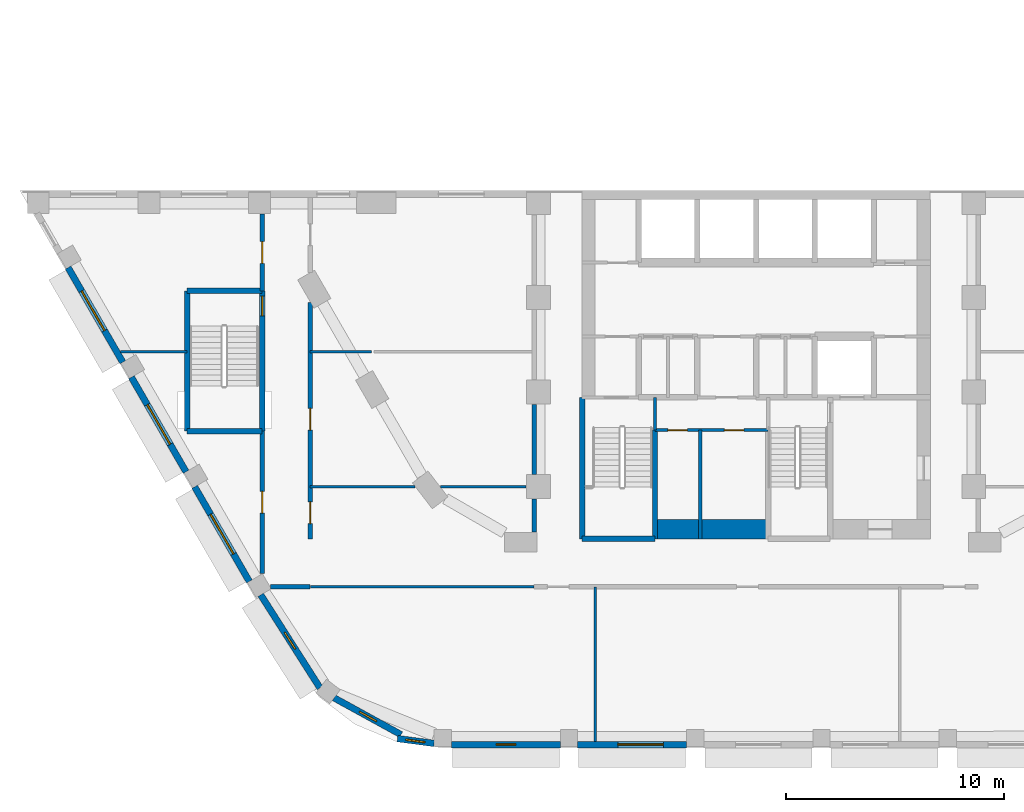
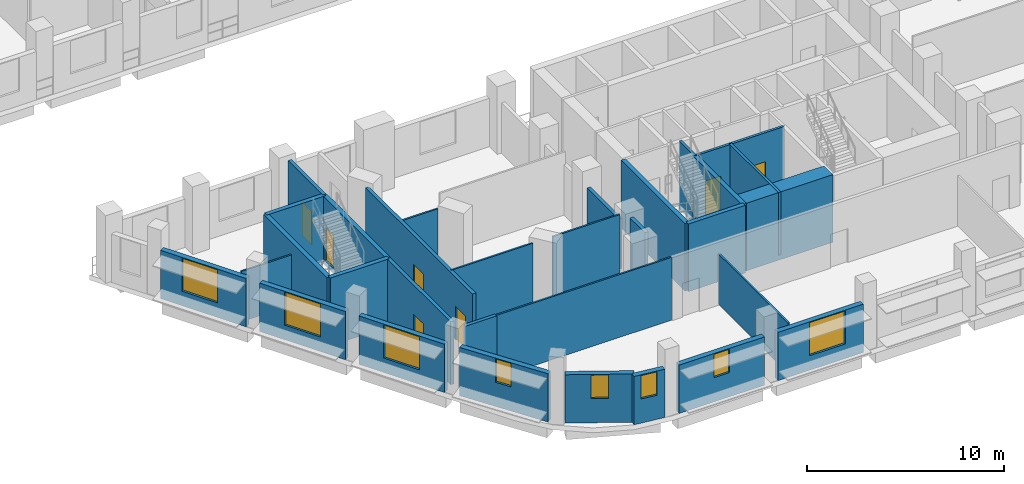
# One storey, part 13 of 45: 31 walls, 8 windows, 7 doors, 15 openings.
"""IFC4 building model written with IfcOpenShell, lengths in metres."""

from ifc_helpers import new_model, si_unit, direction, frame, frame_2d, origin, place, context, subcontext, project, spatial, rectangle, extrude, material, layer, layer_set, type_object, element, fill, save


model = new_model("IFC4")

# Units and contexts
model_context = context("Model", 3, precision=1e-05, world=origin(), true_north=direction((0.0, 1.0)))
body_context = subcontext(model_context, "Body", "Model", "MODEL_VIEW")
ifc_project = project(units=[si_unit("LENGTHUNIT", "METRE"), si_unit("AREAUNIT", "SQUARE_METRE"), si_unit("VOLUMEUNIT", "CUBIC_METRE"), si_unit("PLANEANGLEUNIT", "RADIAN"), si_unit("MASSUNIT", "GRAM", prefix="KILO")], contexts=[model_context])

# Site, building, storey
site_placement = place(None, origin())
site = spatial("IfcSite", under=ifc_project, at=site_placement, CompositionType="ELEMENT")
building_placement = place(site_placement, origin())
building = spatial("IfcBuilding", under=site, at=building_placement, Name="Nakaniwa Court", CompositionType="ELEMENT")
storey_placement = place(building_placement, frame((0.0, 0.0, 11.39990234375)))
storey = spatial("IfcBuildingStorey", under=building, at=storey_placement, Name="L02", CompositionType="ELEMENT", Elevation=11.39990234375)

# Wall, opening, door
ifc_material_1 = material(Name="Acoustic double stud partition")
ifc_layer_1 = layer(ifc_material_1, 0.199951171875)
ifc_layer_set_1 = layer_set([ifc_layer_1], Name="Acoustic double stud partition")
wall_type_1 = type_object("IfcWallType", Name="Acoustic double stud partition 200", PredefinedType="PARTITIONING", material=ifc_layer_set_1)
wall_1_placement = place(storey_placement, frame((57.300048828125, 55.0087890625, 0.0), z_axis=(0.0, 0.0, 1.0), x_axis=(0.0, 1.0, 0.0)))
wall_1 = element("IfcWall", 1, at=wall_1_placement, inside=storey, type_object=wall_type_1, Name="Partition PW-094", PredefinedType="PARTITIONING", context=body_context, shape_type="SweptSolid", body=[
    extrude(rectangle(XDim=6.544189453125, YDim=0.199951171875, at=frame_2d((3.27197265625, 0.0))), origin(), (0.0, 0.0, 1.0), 3.900146484375),
])
opening_1_placement = place(wall_1_placement, frame((2.77197265625, 0.0, 0.0)))
opening_1 = element("IfcOpeningElement", 2, at=opening_1_placement, cuts=wall_1, Name="Opening D-02-12", PredefinedType="OPENING", context=body_context, shape_type="SweptSolid", body=[
    extrude(rectangle(XDim=1.0, YDim=2.10009765625, at=frame_2d((0.5, 1.050048828125))), frame((0.0, 0.10986328125, 0.0), z_axis=(0.0, -1.0, 0.0), x_axis=(1.0, 0.0, 0.0)), (0.0, 0.0, 1.0), 0.219970703125),
])
ifc_material_2 = material(Name="Solid core timber door set, black veneer", Category="wood")
door_type_1 = type_object("IfcDoorType", Name="Internal door 1000", OperationType="NOTDEFINED", PredefinedType="DOOR", material=ifc_material_2)
door_1_placement = place(opening_1_placement, origin())
door_1 = element("IfcDoor", 3, at=door_1_placement, inside=storey, type_object=door_type_1, Name="Door D-02-12 L02-045", OperationType="SINGLE_SWING_RIGHT", OverallHeight=2.10009765625, OverallWidth=1.0, PredefinedType="DOOR", context=body_context, shape_type="SweptSolid", body=[
    extrude(rectangle(XDim=1.0, YDim=2.10009765625, at=frame_2d((0.5, 1.050048828125))), frame((0.0, 0.02490234375, 0.0), z_axis=(0.0, -1.0, 0.0), x_axis=(1.0, 0.0, 0.0)), (0.0, 0.0, 1.0), 0.050048828125),
])
fill(opening_1, door_1)

wall_2_placement = place(storey_placement, frame((57.300048828125, 67.9970703125, 0.0), z_axis=(0.0, 0.0, 1.0), x_axis=(0.0, 1.0, 0.0)))
wall_2 = element("IfcWall", 4, at=wall_2_placement, inside=storey, type_object=wall_type_1, Name="Partition PW-095", PredefinedType="PARTITIONING", context=body_context, shape_type="SweptSolid", body=[
    extrude(rectangle(XDim=3.535888671875, YDim=0.199951171875, at=frame_2d((1.76806640625, 0.0))), origin(), (0.0, 0.0, 1.0), 3.900146484375),
])
opening_2_placement = place(wall_2_placement, frame((1.26806640625, 0.0, 0.0)))
opening_2 = element("IfcOpeningElement", 5, at=opening_2_placement, cuts=wall_2, Name="Opening D-02-11", PredefinedType="OPENING", context=body_context, shape_type="SweptSolid", body=[
    extrude(rectangle(XDim=1.0, YDim=2.10009765625, at=frame_2d((0.5, 1.050048828125))), frame((0.0, 0.10986328125, 0.0), z_axis=(0.0, -1.0, 0.0), x_axis=(1.0, 0.0, 0.0)), (0.0, 0.0, 1.0), 0.219970703125),
])
door_2_placement = place(opening_2_placement, origin())
door_2 = element("IfcDoor", 6, at=door_2_placement, inside=storey, type_object=door_type_1, Name="Door D-02-11 L02-044", OperationType="SINGLE_SWING_LEFT", OverallHeight=2.10009765625, OverallWidth=1.0, PredefinedType="DOOR", context=body_context, shape_type="SweptSolid", body=[
    extrude(rectangle(XDim=1.0, YDim=2.10009765625, at=frame_2d((0.5, 1.050048828125))), frame((0.0, 0.02490234375, 0.0), z_axis=(0.0, -1.0, 0.0), x_axis=(1.0, 0.0, 0.0)), (0.0, 0.0, 1.0), 0.050048828125),
])
fill(opening_2, door_2)

# Wall, openings, doors
wall_3_placement = place(storey_placement, frame((59.5, 67.47021484375, 0.0), z_axis=(0.0, 0.0, 1.0), x_axis=(0.0, -1.0, 0.0)))
wall_3 = element("IfcWall", 7, at=wall_3_placement, inside=storey, type_object=wall_type_1, Name="Partition PW-098", PredefinedType="PARTITIONING", context=body_context, shape_type="SweptSolid", body=[
    extrude(rectangle(XDim=10.873291015625, YDim=0.199951171875, at=frame_2d((5.4365234375, 0.0))), origin(), (0.0, 0.0, 1.0), 3.900146484375),
])
opening_3_placement = place(wall_3_placement, frame((4.8701171875, 0.0, 0.0)))
opening_3 = element("IfcOpeningElement", 8, at=opening_3_placement, cuts=wall_3, Name="Opening D-02-17", PredefinedType="OPENING", context=body_context, shape_type="SweptSolid", body=[
    extrude(rectangle(XDim=1.0, YDim=2.10009765625, at=frame_2d((0.5, 1.050048828125))), frame((0.0, 0.10986328125, 0.0), z_axis=(0.0, -1.0, 0.0), x_axis=(1.0, 0.0, 0.0)), (0.0, 0.0, 1.0), 0.219970703125),
])
opening_4_placement = place(wall_3_placement, frame((9.169921875, 0.0, 0.0)))
opening_4 = element("IfcOpeningElement", 9, at=opening_4_placement, cuts=wall_3, Name="Opening D-02-18", PredefinedType="OPENING", context=body_context, shape_type="SweptSolid", body=[
    extrude(rectangle(XDim=1.0, YDim=2.10009765625, at=frame_2d((0.5, 1.050048828125))), frame((0.0, 0.10986328125, 0.0), z_axis=(0.0, -1.0, 0.0), x_axis=(1.0, 0.0, 0.0)), (0.0, 0.0, 1.0), 0.219970703125),
])
door_3_placement = place(opening_3_placement, origin())
door_3 = element("IfcDoor", 10, at=door_3_placement, inside=storey, type_object=door_type_1, Name="Door D-02-17 L02-050", OperationType="SINGLE_SWING_LEFT", OverallHeight=2.10009765625, OverallWidth=1.0, PredefinedType="DOOR", context=body_context, shape_type="SweptSolid", body=[
    extrude(rectangle(XDim=1.0, YDim=2.10009765625, at=frame_2d((0.5, 1.050048828125))), frame((0.0, 0.02490234375, 0.0), z_axis=(0.0, -1.0, 0.0), x_axis=(1.0, 0.0, 0.0)), (0.0, 0.0, 1.0), 0.050048828125),
])
fill(opening_3, door_3)
door_4_placement = place(opening_4_placement, origin())
door_4 = element("IfcDoor", 11, at=door_4_placement, inside=storey, type_object=door_type_1, Name="Door D-02-18 L02-051", OperationType="SINGLE_SWING_RIGHT", OverallHeight=2.10009765625, OverallWidth=1.0, PredefinedType="DOOR", context=body_context, shape_type="SweptSolid", body=[
    extrude(rectangle(XDim=1.0, YDim=2.10009765625, at=frame_2d((0.5, 1.050048828125))), frame((0.0, 0.02490234375, 0.0), z_axis=(0.0, -1.0, 0.0), x_axis=(1.0, 0.0, 0.0)), (0.0, 0.0, 1.0), 0.050048828125),
])
fill(opening_4, door_4)

# Walls
wall_4_placement = place(storey_placement, frame((69.800048828125, 56.9169921875, 0.0), z_axis=(0.0, 0.0, 1.0), x_axis=(0.0, 1.0, 0.0)))
element("IfcWall", 12, at=wall_4_placement, inside=storey, type_object=wall_type_1, Name="Partition PW-110", PredefinedType="PARTITIONING", context=body_context, shape_type="SweptSolid", body=[
    extrude(rectangle(XDim=1.51611328125, YDim=0.199951171875, at=frame_2d((0.758056640625, 0.0))), origin(), (0.0, 0.0, 1.0), 3.900146484375),
])
wall_5_placement = place(storey_placement, frame((69.800048828125, 59.56689453125, 0.0), z_axis=(0.0, 0.0, 1.0), x_axis=(0.0, 1.0, 0.0)))
element("IfcWall", 13, at=wall_5_placement, inside=storey, type_object=wall_type_1, Name="Partition PW-111", PredefinedType="PARTITIONING", context=body_context, shape_type="SweptSolid", body=[
    extrude(rectangle(XDim=3.216064453125, YDim=0.199951171875, at=frame_2d((1.60791015625, 0.0))), origin(), (0.0, 0.0, 1.0), 3.130126953125),
])
wall_6_placement = place(storey_placement, frame((57.676513671875, 54.39990234375, 0.0), z_axis=(0.0, 0.0, 1.0), x_axis=(1.0, 0.0, 0.0)))
element("IfcWall", 14, at=wall_6_placement, inside=storey, type_object=wall_type_1, Name="Partition PW-132", PredefinedType="PARTITIONING", context=body_context, shape_type="SweptSolid", body=[
    extrude(rectangle(XDim=1.823486328125, YDim=0.199951171875, at=frame_2d((0.91162109375, 0.0))), origin(), (0.0, 0.0, 1.0), 3.900146484375),
])

# Wall, opening, window
ifc_material_3 = material(Name="Charcoal ceramic cladding")
ifc_layer_2 = layer(ifc_material_3, 0.02, Name="Ceramic cladding")
ifc_material_4 = material(Name="Ventilated air cavity")
ifc_layer_3 = layer(ifc_material_4, 0.04, ventilated=True, Name="Ventilated cavity")
ifc_material_5 = material(Name="Mineral wool insulation")
ifc_layer_4 = layer(ifc_material_5, 0.1, Name="Insulation")
ifc_material_6 = material(Name="Cement bonded sheathing board")
ifc_layer_5 = layer(ifc_material_6, 0.012, Name="Sheathing")
ifc_material_7 = material(Name="Cold-formed galvanised stud frame with mineral wool infill")
ifc_layer_6 = layer(ifc_material_7, 0.1, Name="Stud frame")
ifc_material_8 = material(Name="Fire-rated gypsum plasterboard lining")
ifc_layer_7 = layer(ifc_material_8, 0.028, Name="Lining")
ifc_layer_set_2 = layer_set([ifc_layer_2, ifc_layer_3, ifc_layer_4, ifc_layer_5, ifc_layer_6, ifc_layer_7], Name="Charcoal ceramic faced external wall system")
wall_type_2 = type_object("IfcWallType", Name="Black ceramic faced external wall 300", PredefinedType="SOLIDWALL", material=ifc_layer_set_2)
wall_7_placement = place(storey_placement, frame((48.37890625, 69.0693359375, 0.0), z_axis=(0.0, 0.0, 1.0), x_axis=(0.500011252833, -0.866018906861, 0.0)))
wall_7 = element("IfcWall", 15, at=wall_7_placement, inside=storey, type_object=wall_type_2, Name="L02 external wall 13", PredefinedType="SOLIDWALL", context=body_context, shape_type="SweptSolid", body=[
    extrude(rectangle(XDim=5.02490234375, YDim=0.300048828125, at=frame_2d((2.512451171875, 0.0))), origin(), (0.0, 0.0, 1.0), 3.0),
])
opening_5_placement = place(wall_7_placement, frame((1.2451171875, 0.0, 0.89990234375)))
opening_5 = element("IfcOpeningElement", 16, at=opening_5_placement, cuts=wall_7, Name="Opening W2.10", PredefinedType="OPENING", context=body_context, shape_type="SweptSolid", body=[
    extrude(rectangle(XDim=2.10009765625, YDim=2.050048828125, at=frame_2d((1.050048828125, 1.02490234375))), frame((0.0, 0.159912109375, 0.0), z_axis=(0.0, -1.0, 0.0), x_axis=(1.0, 0.0, 0.0)), (0.0, 0.0, 1.0), 0.320068359375),
])
ifc_material_9 = material(Name="Black anodised aluminium frame with dark low-E laminated double glazing", Category="aluminium")
window_type_1 = type_object("IfcWindowType", Name="Dark glass window 2100x2050 sill 900", PartitioningType="SINGLE_PANEL", PredefinedType="WINDOW", material=ifc_material_9)
window_1_placement = place(opening_5_placement, origin())
window_1 = element("IfcWindow", 17, at=window_1_placement, inside=storey, type_object=window_type_1, Name="L02 habitable room window 13-0", OverallHeight=2.050048828125, OverallWidth=2.10009765625, PartitioningType="SINGLE_PANEL", PredefinedType="WINDOW", context=body_context, shape_type="SweptSolid", body=[
    extrude(rectangle(XDim=2.10009765625, YDim=2.050048828125, at=frame_2d((1.050048828125, 1.02490234375))), frame((0.0, 0.030029296875, 0.0), z_axis=(0.0, -1.0, 0.0), x_axis=(1.0, 0.0, 0.0)), (0.0, 0.0, 1.0), 0.06005859375),
])
fill(opening_5, window_1)

wall_8_placement = place(storey_placement, frame((51.287353515625, 64.031982421875, 0.0), z_axis=(0.0, 0.0, 1.0), x_axis=(0.499974811625, -0.866039945811, 0.0)))
wall_8 = element("IfcWall", 18, at=wall_8_placement, inside=storey, type_object=wall_type_2, Name="L02 external wall 14", PredefinedType="SOLIDWALL", context=body_context, shape_type="SweptSolid", body=[
    extrude(rectangle(XDim=5.024658203125, YDim=0.300048828125, at=frame_2d((2.51220703125, 0.0))), origin(), (0.0, 0.0, 1.0), 3.0),
])
opening_6_placement = place(wall_8_placement, frame((1.46240234375, 0.0, 0.89990234375)))
opening_6 = element("IfcOpeningElement", 19, at=opening_6_placement, cuts=wall_8, Name="Opening W2.11", PredefinedType="OPENING", context=body_context, shape_type="SweptSolid", body=[
    extrude(rectangle(XDim=2.10009765625, YDim=2.050048828125, at=frame_2d((1.050048828125, 1.02490234375))), frame((0.0, 0.159912109375, 0.0), z_axis=(0.0, -1.0, 0.0), x_axis=(1.0, 0.0, 0.0)), (0.0, 0.0, 1.0), 0.320068359375),
])
window_2_placement = place(opening_6_placement, origin())
window_2 = element("IfcWindow", 20, at=window_2_placement, inside=storey, type_object=window_type_1, Name="L02 habitable room window 14-0", OverallHeight=2.050048828125, OverallWidth=2.10009765625, PartitioningType="SINGLE_PANEL", PredefinedType="WINDOW", context=body_context, shape_type="SweptSolid", body=[
    extrude(rectangle(XDim=2.10009765625, YDim=2.050048828125, at=frame_2d((1.050048828125, 1.02490234375))), frame((0.0, 0.030029296875, 0.0), z_axis=(0.0, -1.0, 0.0), x_axis=(1.0, 0.0, 0.0)), (0.0, 0.0, 1.0), 0.06005859375),
])
fill(opening_6, window_2)

wall_9_placement = place(storey_placement, frame((54.195556640625, 58.994384765625, 0.0), z_axis=(0.0, 0.0, 1.0), x_axis=(0.500011252833, -0.866018906861, 0.0)))
wall_9 = element("IfcWall", 21, at=wall_9_placement, inside=storey, type_object=wall_type_2, Name="L02 external wall 15", PredefinedType="SOLIDWALL", context=body_context, shape_type="SweptSolid", body=[
    extrude(rectangle(XDim=5.02490234375, YDim=0.300048828125, at=frame_2d((2.512451171875, 0.0))), origin(), (0.0, 0.0, 1.0), 3.0),
])
opening_7_placement = place(wall_9_placement, frame((1.46240234375, 0.0, 0.89990234375)))
opening_7 = element("IfcOpeningElement", 22, at=opening_7_placement, cuts=wall_9, Name="Opening W2.12", PredefinedType="OPENING", context=body_context, shape_type="SweptSolid", body=[
    extrude(rectangle(XDim=2.10009765625, YDim=2.050048828125, at=frame_2d((1.050048828125, 1.02490234375))), frame((0.0, 0.159912109375, 0.0), z_axis=(0.0, -1.0, 0.0), x_axis=(1.0, 0.0, 0.0)), (0.0, 0.0, 1.0), 0.320068359375),
])
window_3_placement = place(opening_7_placement, origin())
window_3 = element("IfcWindow", 23, at=window_3_placement, inside=storey, type_object=window_type_1, Name="L02 habitable room window 15-0", OverallHeight=2.050048828125, OverallWidth=2.10009765625, PartitioningType="SINGLE_PANEL", PredefinedType="WINDOW", context=body_context, shape_type="SweptSolid", body=[
    extrude(rectangle(XDim=2.10009765625, YDim=2.050048828125, at=frame_2d((1.050048828125, 1.02490234375))), frame((0.0, 0.030029296875, 0.0), z_axis=(0.0, -1.0, 0.0), x_axis=(1.0, 0.0, 0.0)), (0.0, 0.0, 1.0), 0.06005859375),
])
fill(opening_7, window_3)

wall_10_placement = place(storey_placement, frame((57.2294921875, 54.029296875, 0.0), z_axis=(0.0, 0.0, 1.0), x_axis=(0.537224370512, -0.843439372882, 0.0)))
wall_10 = element("IfcWall", 24, at=wall_10_placement, inside=storey, type_object=wall_type_2, Name="L02 external wall 16", PredefinedType="SOLIDWALL", context=body_context, shape_type="SweptSolid", body=[
    extrude(rectangle(XDim=5.07080078125, YDim=0.300048828125, at=frame_2d((2.535400390625, 0.0))), origin(), (0.0, 0.0, 1.0), 3.0),
])
opening_8_placement = place(wall_10_placement, frame((2.0576171875, 0.0, 1.5)))
opening_8 = element("IfcOpeningElement", 25, at=opening_8_placement, cuts=wall_10, Name="Opening W3.13", PredefinedType="OPENING", context=body_context, shape_type="SweptSolid", body=[
    extrude(rectangle(XDim=0.89990234375, YDim=1.449951171875, at=frame_2d((0.449951171875, 0.72509765625))), frame((0.0, 0.159912109375, 0.0), z_axis=(0.0, -1.0, 0.0), x_axis=(1.0, 0.0, 0.0)), (0.0, 0.0, 1.0), 0.320068359375),
])
window_type_2 = type_object("IfcWindowType", Name="Dark glass window 900x1450 sill 1500", PartitioningType="SINGLE_PANEL", PredefinedType="WINDOW", material=ifc_material_9)
window_4_placement = place(opening_8_placement, origin())
window_4 = element("IfcWindow", 26, at=window_4_placement, inside=storey, type_object=window_type_2, Name="L02 bathroom window 16-0", OverallHeight=1.449951171875, OverallWidth=0.89990234375, PartitioningType="SINGLE_PANEL", PredefinedType="WINDOW", context=body_context, shape_type="SweptSolid", body=[
    extrude(rectangle(XDim=0.89990234375, YDim=1.449951171875, at=frame_2d((0.449951171875, 0.72509765625))), frame((0.0, 0.030029296875, 0.0), z_axis=(0.0, -1.0, 0.0), x_axis=(1.0, 0.0, 0.0)), (0.0, 0.0, 1.0), 0.06005859375),
])
fill(opening_8, window_4)

wall_11_placement = place(storey_placement, frame((60.6005859375, 49.29443359375, 0.0), z_axis=(0.0, 0.0, 1.0), x_axis=(0.876502039768, -0.481398145284, 0.0)))
wall_11 = element("IfcWall", 27, at=wall_11_placement, inside=storey, type_object=wall_type_2, Name="L02 external wall 17", PredefinedType="SOLIDWALL", context=body_context, shape_type="SweptSolid", body=[
    extrude(rectangle(XDim=3.510986328125, YDim=0.300048828125, at=frame_2d((1.75537109375, 0.0))), origin(), (0.0, 0.0, 1.0), 3.0),
])
opening_9_placement = place(wall_11_placement, frame((1.33056640625, 0.0, 1.5)))
opening_9 = element("IfcOpeningElement", 28, at=opening_9_placement, cuts=wall_11, Name="Opening W3.14", PredefinedType="OPENING", context=body_context, shape_type="SweptSolid", body=[
    extrude(rectangle(XDim=0.89990234375, YDim=1.449951171875, at=frame_2d((0.449951171875, 0.72509765625))), frame((0.0, 0.159912109375, 0.0), z_axis=(0.0, -1.0, 0.0), x_axis=(1.0, 0.0, 0.0)), (0.0, 0.0, 1.0), 0.320068359375),
])
window_5_placement = place(opening_9_placement, origin())
window_5 = element("IfcWindow", 29, at=window_5_placement, inside=storey, type_object=window_type_2, Name="L02 bathroom window 17-0", OverallHeight=1.449951171875, OverallWidth=0.89990234375, PartitioningType="SINGLE_PANEL", PredefinedType="WINDOW", context=body_context, shape_type="SweptSolid", body=[
    extrude(rectangle(XDim=0.89990234375, YDim=1.449951171875, at=frame_2d((0.449951171875, 0.72509765625))), frame((0.0, 0.030029296875, 0.0), z_axis=(0.0, -1.0, 0.0), x_axis=(1.0, 0.0, 0.0)), (0.0, 0.0, 1.0), 0.06005859375),
])
fill(opening_9, window_5)

wall_12_placement = place(storey_placement, frame((63.515380859375, 47.42138671875, 0.0), z_axis=(0.0, 0.0, 1.0), x_axis=(0.991431291018, -0.130629227937, 0.0)))
wall_12 = element("IfcWall", 30, at=wall_12_placement, inside=storey, type_object=wall_type_2, Name="L02 external wall 18", PredefinedType="SOLIDWALL", context=body_context, shape_type="SweptSolid", body=[
    extrude(rectangle(XDim=1.698974609375, YDim=0.300048828125, at=frame_2d((0.849609375, 0.0))), origin(), (0.0, 0.0, 1.0), 3.0),
])
opening_10_placement = place(wall_12_placement, frame((0.376220703125, 0.0, 1.5)))
opening_10 = element("IfcOpeningElement", 31, at=opening_10_placement, cuts=wall_12, Name="Opening W3.15", PredefinedType="OPENING", context=body_context, shape_type="SweptSolid", body=[
    extrude(rectangle(XDim=0.89990234375, YDim=1.449951171875, at=frame_2d((0.449951171875, 0.72509765625))), frame((0.0, 0.159912109375, 0.0), z_axis=(0.0, -1.0, 0.0), x_axis=(1.0, 0.0, 0.0)), (0.0, 0.0, 1.0), 0.320068359375),
])
window_6_placement = place(opening_10_placement, origin())
window_6 = element("IfcWindow", 32, at=window_6_placement, inside=storey, type_object=window_type_2, Name="L02 bathroom window 18-0", OverallHeight=1.449951171875, OverallWidth=0.89990234375, PartitioningType="SINGLE_PANEL", PredefinedType="WINDOW", context=body_context, shape_type="SweptSolid", body=[
    extrude(rectangle(XDim=0.89990234375, YDim=1.449951171875, at=frame_2d((0.449951171875, 0.72509765625))), frame((0.0, 0.030029296875, 0.0), z_axis=(0.0, -1.0, 0.0), x_axis=(1.0, 0.0, 0.0)), (0.0, 0.0, 1.0), 0.06005859375),
])
fill(opening_10, window_6)

wall_13_placement = place(storey_placement, frame((65.99169921875, 47.14990234375, 0.0), z_axis=(0.0, 0.0, 1.0), x_axis=(1.0, 0.0, 0.0)))
wall_13 = element("IfcWall", 33, at=wall_13_placement, inside=storey, type_object=wall_type_2, Name="L02 external wall 19", PredefinedType="SOLIDWALL", context=body_context, shape_type="SweptSolid", body=[
    extrude(rectangle(XDim=5.01025390625, YDim=0.300048828125, at=frame_2d((2.505126953125, 0.0))), origin(), (0.0, 0.0, 1.0), 3.0),
])
opening_11_placement = place(wall_13_placement, frame((2.05517578125, 0.0, 1.5)))
opening_11 = element("IfcOpeningElement", 34, at=opening_11_placement, cuts=wall_13, Name="Opening W3.16", PredefinedType="OPENING", context=body_context, shape_type="SweptSolid", body=[
    extrude(rectangle(XDim=0.89990234375, YDim=1.449951171875, at=frame_2d((0.449951171875, 0.72509765625))), frame((0.0, 0.159912109375, 0.0), z_axis=(0.0, -1.0, 0.0), x_axis=(1.0, 0.0, 0.0)), (0.0, 0.0, 1.0), 0.320068359375),
])
window_7_placement = place(opening_11_placement, origin())
window_7 = element("IfcWindow", 35, at=window_7_placement, inside=storey, type_object=window_type_2, Name="L02 bathroom window 19-0", OverallHeight=1.449951171875, OverallWidth=0.89990234375, PartitioningType="SINGLE_PANEL", PredefinedType="WINDOW", context=body_context, shape_type="SweptSolid", body=[
    extrude(rectangle(XDim=0.89990234375, YDim=1.449951171875, at=frame_2d((0.449951171875, 0.72509765625))), frame((0.0, 0.030029296875, 0.0), z_axis=(0.0, -1.0, 0.0), x_axis=(1.0, 0.0, 0.0)), (0.0, 0.0, 1.0), 0.06005859375),
])
fill(opening_11, window_7)

wall_14_placement = place(storey_placement, frame((71.7939453125, 47.14990234375, 0.0), z_axis=(0.0, 0.0, 1.0), x_axis=(1.0, 0.0, 0.0)))
wall_14 = element("IfcWall", 36, at=wall_14_placement, inside=storey, type_object=wall_type_2, Name="L02 external wall 20", PredefinedType="SOLIDWALL", context=body_context, shape_type="SweptSolid", body=[
    extrude(rectangle(XDim=5.01025390625, YDim=0.300048828125, at=frame_2d((2.505126953125, 0.0))), origin(), (0.0, 0.0, 1.0), 3.0),
])
opening_12_placement = place(wall_14_placement, frame((1.84619140625, 0.0, 0.89990234375)))
opening_12 = element("IfcOpeningElement", 37, at=opening_12_placement, cuts=wall_14, Name="Opening W2.17", PredefinedType="OPENING", context=body_context, shape_type="SweptSolid", body=[
    extrude(rectangle(XDim=2.10009765625, YDim=2.050048828125, at=frame_2d((1.050048828125, 1.02490234375))), frame((0.0, 0.159912109375, 0.0), z_axis=(0.0, -1.0, 0.0), x_axis=(1.0, 0.0, 0.0)), (0.0, 0.0, 1.0), 0.320068359375),
])
window_8_placement = place(opening_12_placement, origin())
window_8 = element("IfcWindow", 38, at=window_8_placement, inside=storey, type_object=window_type_1, Name="L02 habitable room window 20-1", OverallHeight=2.050048828125, OverallWidth=2.10009765625, PartitioningType="SINGLE_PANEL", PredefinedType="WINDOW", context=body_context, shape_type="SweptSolid", body=[
    extrude(rectangle(XDim=2.10009765625, YDim=2.050048828125, at=frame_2d((1.050048828125, 1.02490234375))), frame((0.0, 0.030029296875, 0.0), z_axis=(0.0, -1.0, 0.0), x_axis=(1.0, 0.0, 0.0)), (0.0, 0.0, 1.0), 0.06005859375),
])
fill(opening_12, window_8)

# Wall, openings, doors
ifc_material_10 = material(Name="Blockwork partition", Category="masonry")
ifc_layer_8 = layer(ifc_material_10, 0.14990234375)
ifc_layer_set_3 = layer_set([ifc_layer_8], Name="Blockwork partition")
wall_type_3 = type_object("IfcWallType", Name="Blockwork partition 150", PredefinedType="PARTITIONING", material=ifc_layer_set_3)
wall_15_placement = place(storey_placement, frame((80.550048828125, 61.60009765625, 0.0), z_axis=(0.0, 0.0, 1.0), x_axis=(-1.0, 0.0, 0.0)))
wall_15 = element("IfcWall", 39, at=wall_15_placement, inside=storey, type_object=wall_type_3, Name="Partition PW-077", PredefinedType="PARTITIONING", context=body_context, shape_type="SweptSolid", body=[
    extrude(rectangle(XDim=5.199951171875, YDim=0.14990234375, at=frame_2d((2.60009765625, 0.0))), origin(), (0.0, 0.0, 1.0), 3.900146484375),
])
opening_13_placement = place(wall_15_placement, frame((3.7099609375, 0.0, 0.0)))
opening_13 = element("IfcOpeningElement", 40, at=opening_13_placement, cuts=wall_15, Name="Opening D-05-17", PredefinedType="OPENING", context=body_context, shape_type="SweptSolid", body=[
    extrude(rectangle(XDim=0.89990234375, YDim=2.10009765625, at=frame_2d((0.449951171875, 1.050048828125))), frame((0.0, 0.0849609375, 0.0), z_axis=(0.0, -1.0, 0.0), x_axis=(1.0, 0.0, 0.0)), (0.0, 0.0, 1.0), 0.169921875),
])
opening_14_placement = place(wall_15_placement, frame((1.110107421875, 0.0, 0.0)))
opening_14 = element("IfcOpeningElement", 41, at=opening_14_placement, cuts=wall_15, Name="Opening D-05-18", PredefinedType="OPENING", context=body_context, shape_type="SweptSolid", body=[
    extrude(rectangle(XDim=0.89990234375, YDim=2.10009765625, at=frame_2d((0.449951171875, 1.050048828125))), frame((0.0, 0.0849609375, 0.0), z_axis=(0.0, -1.0, 0.0), x_axis=(1.0, 0.0, 0.0)), (0.0, 0.0, 1.0), 0.169921875),
])
ifc_material_11 = material(Name="Fire rated steel door set", Category="steel")
door_type_2 = type_object("IfcDoorType", Name="Service room door 900", OperationType="NOTDEFINED", PredefinedType="DOOR", material=ifc_material_11)
door_5_placement = place(opening_13_placement, origin())
door_5 = element("IfcDoor", 42, at=door_5_placement, inside=storey, type_object=door_type_2, Name="Door D-05-17 L02-025", OperationType="SINGLE_SWING_RIGHT", OverallHeight=2.10009765625, OverallWidth=0.89990234375, PredefinedType="DOOR", context=body_context, shape_type="SweptSolid", body=[
    extrude(rectangle(XDim=0.89990234375, YDim=2.10009765625, at=frame_2d((0.449951171875, 1.050048828125))), frame((0.0, 0.02490234375, 0.0), z_axis=(0.0, -1.0, 0.0), x_axis=(1.0, 0.0, 0.0)), (0.0, 0.0, 1.0), 0.050048828125),
])
fill(opening_13, door_5)
door_6_placement = place(opening_14_placement, origin())
door_6 = element("IfcDoor", 43, at=door_6_placement, inside=storey, type_object=door_type_2, Name="Door D-05-18 L02-026", OperationType="SINGLE_SWING_LEFT", OverallHeight=2.10009765625, OverallWidth=0.89990234375, PredefinedType="DOOR", context=body_context, shape_type="SweptSolid", body=[
    extrude(rectangle(XDim=0.89990234375, YDim=2.10009765625, at=frame_2d((0.449951171875, 1.050048828125))), frame((0.0, 0.02490234375, 0.0), z_axis=(0.0, -1.0, 0.0), x_axis=(1.0, 0.0, 0.0)), (0.0, 0.0, 1.0), 0.050048828125),
])
fill(opening_14, door_6)

# Walls
wall_16_placement = place(storey_placement, frame((77.429931640625, 56.60009765625, 0.0), z_axis=(0.0, 0.0, 1.0), x_axis=(0.0, 1.0, 0.0)))
element("IfcWall", 44, at=wall_16_placement, inside=storey, type_object=wall_type_3, Name="Partition PW-078", PredefinedType="PARTITIONING", context=body_context, shape_type="SweptSolid", body=[
    extrude(rectangle(XDim=5.0, YDim=0.14990234375, at=frame_2d((2.5, 0.0))), origin(), (0.0, 0.0, 1.0), 3.900146484375),
])
ifc_material_12 = material(Name="Concrete C100/115", Category="concrete")
ifc_layer_9 = layer(ifc_material_12, 0.14990234375)
ifc_layer_set_4 = layer_set([ifc_layer_9], Name="Concrete C100/115")
wall_type_4 = type_object("IfcWallType", Name="Concrete core wall 150 C100", PredefinedType="SHEAR", material=ifc_layer_set_4)
wall_17_placement = place(storey_placement, frame((75.35009765625, 61.596923828125, -0.2998046875), z_axis=(0.0, 0.0, 1.0), x_axis=(0.0, 1.0, 0.0)))
element("IfcWall", 45, at=wall_17_placement, inside=storey, type_object=wall_type_4, Name="Core wall SW-67", PredefinedType="SHEAR", context=body_context, shape_type="SweptSolid", body=[
    extrude(rectangle(XDim=1.503173828125, YDim=0.14990234375, at=frame_2d((0.75146484375, 0.0))), origin(), (0.0, 0.0, 1.0), 4.199951171875),
])
ifc_layer_10 = layer(ifc_material_12, 0.25)
ifc_layer_set_5 = layer_set([ifc_layer_10], Name="Concrete C100/115")
wall_type_5 = type_object("IfcWallType", Name="Concrete core wall 250 C100", PredefinedType="SHEAR", material=ifc_layer_set_5)
wall_18_placement = place(storey_placement, frame((72.0, 56.60009765625, -0.2998046875), z_axis=(0.0, 0.0, 1.0), x_axis=(0.0, 1.0, 0.0)))
element("IfcWall", 46, at=wall_18_placement, inside=storey, type_object=wall_type_5, Name="Core wall SW-69", PredefinedType="SHEAR", context=body_context, shape_type="SweptSolid", body=[
    extrude(rectangle(XDim=6.5, YDim=0.25, at=frame_2d((3.25, 0.0))), origin(), (0.0, 0.0, 1.0), 4.199951171875),
])
wall_19_placement = place(storey_placement, frame((72.0, 56.60009765625, -0.2998046875), z_axis=(0.0, 0.0, 1.0), x_axis=(1.0, 0.0, 0.0)))
element("IfcWall", 47, at=wall_19_placement, inside=storey, type_object=wall_type_5, Name="Core wall SW-70", PredefinedType="SHEAR", context=body_context, shape_type="SweptSolid", body=[
    extrude(rectangle(XDim=3.35009765625, YDim=0.25, at=frame_2d((1.675048828125, 0.0))), origin(), (0.0, 0.0, 1.0), 4.199951171875),
])

# Wall, opening, door
wall_20_placement = place(storey_placement, frame((57.300048828125, 68.0029296875, -0.2998046875), z_axis=(0.0, 0.0, 1.0), x_axis=(0.0, -1.0, 0.0)))
wall_20 = element("IfcWall", 48, at=wall_20_placement, inside=storey, type_object=wall_type_5, Name="Core wall SW-92", PredefinedType="SHEAR", context=body_context, shape_type="SweptSolid", body=[
    extrude(rectangle(XDim=6.455810546875, YDim=0.25, at=frame_2d((3.22802734375, 0.0))), origin(), (0.0, 0.0, 1.0), 4.199951171875),
])
opening_15_placement = place(wall_20_placement, frame((0.25, 0.0, 0.300048828125)))
opening_15 = element("IfcOpeningElement", 49, at=opening_15_placement, cuts=wall_20, Name="Opening D-11-06", PredefinedType="OPENING", context=body_context, shape_type="SweptSolid", body=[
    extrude(rectangle(XDim=0.89990234375, YDim=2.10009765625, at=frame_2d((0.449951171875, 1.050048828125))), frame((0.0, 0.135009765625, 0.0), z_axis=(0.0, -1.0, 0.0), x_axis=(1.0, 0.0, 0.0)), (0.0, 0.0, 1.0), 0.27001953125),
])
door_type_3 = type_object("IfcDoorType", Name="Stair door 900", OperationType="NOTDEFINED", PredefinedType="DOOR", material=ifc_material_11)
door_7_placement = place(opening_15_placement, origin())
door_7 = element("IfcDoor", 50, at=door_7_placement, inside=storey, type_object=door_type_3, Name="Door D-11-06 L02-041", OperationType="SINGLE_SWING_LEFT", OverallHeight=2.10009765625, OverallWidth=0.89990234375, PredefinedType="DOOR", context=body_context, shape_type="SweptSolid", body=[
    extrude(rectangle(XDim=0.89990234375, YDim=2.10009765625, at=frame_2d((0.449951171875, 1.050048828125))), frame((0.0, 0.02490234375, 0.0), z_axis=(0.0, -1.0, 0.0), x_axis=(1.0, 0.0, 0.0)), (0.0, 0.0, 1.0), 0.050048828125),
])
fill(opening_15, door_7)

# Walls
wall_21_placement = place(storey_placement, frame((53.85009765625, 61.550048828125, -0.2998046875), z_axis=(0.0, 0.0, 1.0), x_axis=(0.0, 1.0, 0.0)))
element("IfcWall", 51, at=wall_21_placement, inside=storey, type_object=wall_type_5, Name="Core wall SW-124", PredefinedType="SHEAR", context=body_context, shape_type="SweptSolid", body=[
    extrude(rectangle(XDim=6.449951171875, YDim=0.25, at=frame_2d((3.22509765625, 0.0))), origin(), (0.0, 0.0, 1.0), 4.199951171875),
])
for number, where, z_axis, x_axis, name in (
    (52, (53.85009765625, 68.0, -0.2998046875), (0.0, 0.0, 1.0), (1.0, 0.0, 0.0), "Core wall SW-135"),
    (53, (53.85009765625, 61.550048828125, -0.2998046875), (0.0, 0.0, 1.0), (1.0, 0.0, 0.0), "Core wall SW-137"),
):
    element("IfcWall", number, at=place(storey_placement, frame(where, z_axis=z_axis, x_axis=x_axis)), inside=storey, type_object=wall_type_5, Name=name, PredefinedType="SHEAR", context=body_context, shape_type="SweptSolid", body=[
        extrude(rectangle(XDim=3.449951171875, YDim=0.25, at=frame_2d((1.72509765625, 0.0))), origin(), (0.0, 0.0, 1.0), 4.199951171875),
    ])
ifc_layer_11 = layer(ifc_material_12, 0.89990234375)
ifc_layer_set_6 = layer_set([ifc_layer_11], Name="Concrete C100/115")
wall_type_6 = type_object("IfcWallType", Name="Concrete core wall 900 C100", PredefinedType="SHEAR", material=ifc_layer_set_6)
wall_22_placement = place(storey_placement, frame((75.35009765625, 57.050048828125, -0.2998046875), z_axis=(0.0, 0.0, 1.0), x_axis=(1.0, 0.0, 0.0)))
element("IfcWall", 54, at=wall_22_placement, inside=storey, type_object=wall_type_6, Name="Core wall SW-75", PredefinedType="SHEAR", context=body_context, shape_type="SweptSolid", body=[
    extrude(rectangle(XDim=5.199951171875, YDim=0.89990234375, at=frame_2d((2.60009765625, 0.0))), origin(), (0.0, 0.0, 1.0), 4.199951171875),
])
ifc_layer_12 = layer(ifc_material_12, 0.25)
ifc_layer_set_7 = layer_set([ifc_layer_12], Name="Concrete C100/115")
wall_type_7 = type_object("IfcWallType", Name="Concrete shaft wall 250 C100", PredefinedType="SHEAR", material=ifc_layer_set_7)
wall_23_placement = place(storey_placement, frame((75.35009765625, 56.60009765625, -0.2998046875), z_axis=(0.0, 0.0, 1.0), x_axis=(0.0, 1.0, 0.0)))
element("IfcWall", 55, at=wall_23_placement, inside=storey, type_object=wall_type_7, Name="Core wall SW-68", PredefinedType="SHEAR", context=body_context, shape_type="SweptSolid", body=[
    extrude(rectangle(XDim=5.0029296875, YDim=0.25, at=frame_2d((2.50146484375, 0.0))), origin(), (0.0, 0.0, 1.0), 4.199951171875),
])
ifc_material_13 = material(Name="Single stud plasterboard partition")
ifc_layer_13 = layer(ifc_material_13, 0.10009765625)
ifc_layer_set_8 = layer_set([ifc_layer_13], Name="Single stud plasterboard partition")
wall_type_8 = type_object("IfcWallType", Name="Single stud plasterboard partition 100", PredefinedType="PARTITIONING", material=ifc_layer_set_8)
wall_24_placement = place(storey_placement, frame((50.7861328125, 65.199951171875, 0.0), z_axis=(0.0, 0.0, 1.0), x_axis=(1.0, 0.0, 0.0)))
element("IfcWall", 56, at=wall_24_placement, inside=storey, type_object=wall_type_8, Name="Partition PW-139", PredefinedType="PARTITIONING", context=body_context, shape_type="SweptSolid", body=[
    extrude(rectangle(XDim=3.06396484375, YDim=0.10009765625, at=frame_2d((1.531982421875, 0.0))), origin(), (0.0, 0.0, 1.0), 3.130126953125),
])
wall_25_placement = place(storey_placement, frame((59.5, 65.199951171875, 0.0), z_axis=(0.0, 0.0, 1.0), x_axis=(1.0, 0.0, 0.0)))
element("IfcWall", 57, at=wall_25_placement, inside=storey, type_object=wall_type_8, Name="Partition PW-140", PredefinedType="PARTITIONING", context=body_context, shape_type="SweptSolid", body=[
    extrude(rectangle(XDim=2.819580078125, YDim=0.10009765625, at=frame_2d((1.40966796875, 0.0))), origin(), (0.0, 0.0, 1.0), 2.97998046875),
])
wall_26_placement = place(storey_placement, frame((59.5, 59.0, 0.0), z_axis=(0.0, 0.0, 1.0), x_axis=(1.0, 0.0, 0.0)))
element("IfcWall", 58, at=wall_26_placement, inside=storey, type_object=wall_type_8, Name="Partition PW-145", PredefinedType="PARTITIONING", context=body_context, shape_type="SweptSolid", body=[
    extrude(rectangle(XDim=4.810302734375, YDim=0.10009765625, at=frame_2d((2.4052734375, 0.0))), origin(), (0.0, 0.0, 1.0), 3.900146484375),
])
wall_27_placement = place(storey_placement, frame((65.4951171875, 59.0, 0.0), z_axis=(0.0, 0.0, 1.0), x_axis=(1.0, 0.0, 0.0)))
element("IfcWall", 59, at=wall_27_placement, inside=storey, type_object=wall_type_8, Name="Partition PW-146", PredefinedType="PARTITIONING", context=body_context, shape_type="SweptSolid", body=[
    extrude(rectangle(XDim=3.934814453125, YDim=0.10009765625, at=frame_2d((1.96728515625, 0.0))), origin(), (0.0, 0.0, 1.0), 3.900146484375),
])
wall_28_placement = place(storey_placement, frame((72.60009765625, 47.300048828125, 0.0), z_axis=(0.0, 0.0, 1.0), x_axis=(0.0, 1.0, 0.0)))
element("IfcWall", 60, at=wall_28_placement, inside=storey, type_object=wall_type_8, Name="Partition PW-149", PredefinedType="PARTITIONING", context=body_context, shape_type="SweptSolid", body=[
    extrude(rectangle(XDim=7.099853515625, YDim=0.10009765625, at=frame_2d((3.5498046875, 0.0))), origin(), (0.0, 0.0, 1.0), 3.130126953125),
])
wall_29_placement = place(storey_placement, frame((59.52001953125, 54.39990234375, 0.0), z_axis=(0.0, 0.0, 1.0), x_axis=(1.0, 0.0, 0.0)))
element("IfcWall", 61, at=wall_29_placement, inside=storey, type_object=wall_type_8, Name="Partition PW-151", PredefinedType="PARTITIONING", context=body_context, shape_type="SweptSolid", body=[
    extrude(rectangle(XDim=10.260009765625, YDim=0.10009765625, at=frame_2d((5.1298828125, 0.0))), origin(), (0.0, 0.0, 1.0), 3.900146484375),
])

save(model, "model.ifc")
